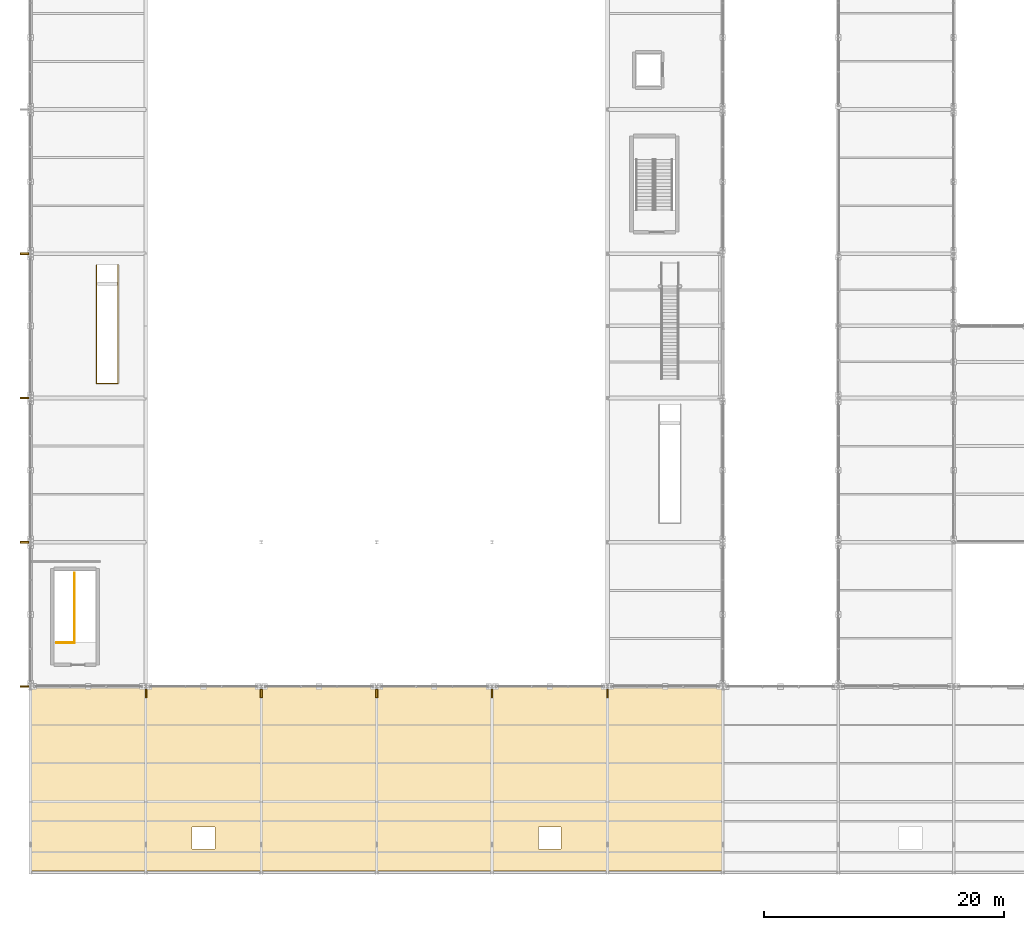
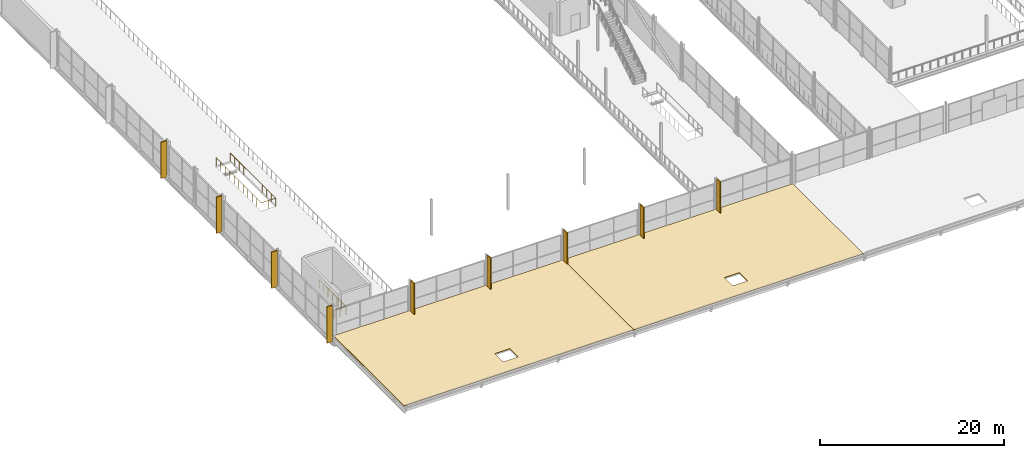
# One storey, part 151 of 159: 11 coverings, 2 railings.
"""IFC4 building model written with IfcOpenShell, lengths in metres."""

from ifc_helpers import new_model, si_unit, direction, frame, origin, origin_2d, place, context, subcontext, project, spatial, polyline, circle, outline, extrude, material, layer, layer_set, type_object, element, save


model = new_model("IFC4")

# Units and contexts
model_context = context("Model", 3, precision=1e-05, world=origin(), true_north=direction((0.0, 1.0)))
body_context = subcontext(model_context, "Body", "Model", "MODEL_VIEW")
ifc_project = project(units=[si_unit("LENGTHUNIT", "METRE"), si_unit("AREAUNIT", "SQUARE_METRE"), si_unit("VOLUMEUNIT", "CUBIC_METRE"), si_unit("PLANEANGLEUNIT", "RADIAN"), si_unit("MASSUNIT", "GRAM", prefix="KILO")], contexts=[model_context])

# Site, building, storey
site_placement = place(None, origin())
site = spatial("IfcSite", under=ifc_project, at=site_placement, CompositionType="ELEMENT")
building_placement = place(site_placement, origin())
building = spatial("IfcBuilding", under=site, at=building_placement, Name="Merenkruunu Market Hall", CompositionType="ELEMENT")
storey_placement = place(building_placement, frame((0.0, 0.0, 5.39990234375)))
storey = spatial("IfcBuildingStorey", under=building, at=storey_placement, Name="L01", CompositionType="ELEMENT", Elevation=5.39990234375)

# Coverings
ifc_material_1 = material(Name="Precast concrete C40/50", Category="concrete")
ifc_layer_1 = layer(ifc_material_1, 0.139892578125)
ifc_layer_set_1 = layer_set([ifc_layer_1], Name="Precast concrete C40/50")
covering_type_1 = type_object("IfcCoveringType", Name="Architectural Precast Sun Fin CLD02", PredefinedType="CLADDING", material=ifc_layer_set_1)
covering_1_placement = place(storey_placement, origin())
element("IfcCovering", 1, at=covering_1_placement, inside=storey, type_object=covering_type_1, Name="FIN-W-L01-002", PredefinedType="CLADDING", context=body_context, shape_type="SweptSolid", body=[
    extrude(outline(polyline([(-0.8701171875, 15.530029296875), (-0.14794921875, 15.530029296875), (-0.14794921875, 15.669921875), (-0.8701171875, 15.669921875), (-0.8701171875, 15.530029296875)])), origin(), (0.0, 0.0, 1.0), 4.800048828125),
])
covering_2_placement = place(storey_placement, origin())
element("IfcCovering", 2, at=covering_2_placement, inside=storey, type_object=covering_type_1, Name="FIN-W-L01-005", PredefinedType="CLADDING", context=body_context, shape_type="SweptSolid", body=[
    extrude(outline(polyline([(-0.8701171875, 27.530029296875), (-0.14794921875, 27.530029296875), (-0.14794921875, 27.669921875), (-0.8701171875, 27.669921875), (-0.8701171875, 27.530029296875)])), origin(), (0.0, 0.0, 1.0), 4.800048828125),
])
covering_3_placement = place(storey_placement, origin())
element("IfcCovering", 3, at=covering_3_placement, inside=storey, type_object=covering_type_1, Name="FIN-W-L01-008", PredefinedType="CLADDING", context=body_context, shape_type="SweptSolid", body=[
    extrude(outline(polyline([(-0.8701171875, 39.530029296875), (-0.14794921875, 39.530029296875), (-0.14794921875, 39.669921875), (-0.8701171875, 39.669921875), (-0.8701171875, 39.530029296875)])), origin(), (0.0, 0.0, 1.0), 4.800048828125),
])
covering_4_placement = place(storey_placement, origin())
element("IfcCovering", 4, at=covering_4_placement, inside=storey, type_object=covering_type_1, Name="FIN-W-L01-011", PredefinedType="CLADDING", context=body_context, shape_type="SweptSolid", body=[
    extrude(outline(polyline([(-0.8701171875, 51.530029296875), (-0.14794921875, 51.530029296875), (-0.14794921875, 51.669921875), (-0.8701171875, 51.669921875), (-0.8701171875, 51.530029296875)])), origin(), (0.0, 0.0, 1.0), 4.800048828125),
])
covering_5_placement = place(storey_placement, frame((0.0, 0.0, 0.68017578125)))
element("IfcCovering", 5, at=covering_5_placement, inside=storey, type_object=covering_type_1, Name="FIN-S-L01-028", PredefinedType="CLADDING", context=body_context, shape_type="SweptSolid", body=[
    extrude(outline(polyline([(9.530029296875, 14.659912109375), (9.669921875, 14.659912109375), (9.669921875, 15.382080078125), (9.530029296875, 15.382080078125), (9.530029296875, 14.659912109375)])), origin(), (0.0, 0.0, 1.0), 4.119873046875),
])
covering_6_placement = place(storey_placement, frame((0.0, 0.0, 0.68017578125)))
element("IfcCovering", 6, at=covering_6_placement, inside=storey, type_object=covering_type_1, Name="FIN-S-L01-033", PredefinedType="CLADDING", context=body_context, shape_type="SweptSolid", body=[
    extrude(outline(polyline([(19.1298828125, 14.659912109375), (19.27001953125, 14.659912109375), (19.27001953125, 15.382080078125), (19.1298828125, 15.382080078125), (19.1298828125, 14.659912109375)])), origin(), (0.0, 0.0, 1.0), 4.119873046875),
])
covering_7_placement = place(storey_placement, frame((0.0, 0.0, 0.68017578125)))
element("IfcCovering", 7, at=covering_7_placement, inside=storey, type_object=covering_type_1, Name="FIN-S-L01-038", PredefinedType="CLADDING", context=body_context, shape_type="SweptSolid", body=[
    extrude(outline(polyline([(28.72998046875, 14.659912109375), (28.8701171875, 14.659912109375), (28.8701171875, 15.382080078125), (28.72998046875, 15.382080078125), (28.72998046875, 14.659912109375)])), origin(), (0.0, 0.0, 1.0), 4.119873046875),
])
covering_8_placement = place(storey_placement, frame((0.0, 0.0, 0.68017578125)))
element("IfcCovering", 8, at=covering_8_placement, inside=storey, type_object=covering_type_1, Name="FIN-S-L01-043", PredefinedType="CLADDING", context=body_context, shape_type="SweptSolid", body=[
    extrude(outline(polyline([(38.330078125, 14.659912109375), (38.469970703125, 14.659912109375), (38.469970703125, 15.382080078125), (38.330078125, 15.382080078125), (38.330078125, 14.659912109375)])), origin(), (0.0, 0.0, 1.0), 4.119873046875),
])
covering_9_placement = place(storey_placement, frame((0.0, 0.0, 0.68017578125)))
element("IfcCovering", 9, at=covering_9_placement, inside=storey, type_object=covering_type_1, Name="FIN-S-L01-048", PredefinedType="CLADDING", context=body_context, shape_type="SweptSolid", body=[
    extrude(outline(polyline([(47.929931640625, 14.659912109375), (48.070068359375, 14.659912109375), (48.070068359375, 15.382080078125), (47.929931640625, 15.382080078125), (47.929931640625, 14.659912109375)])), origin(), (0.0, 0.0, 1.0), 4.119873046875),
])

# Railings
ifc_material_2 = material(Name="Brushed stainless steel", Category="steel")
railing_type = type_object("IfcRailingType", Name="Gallery Balustrade Guard GR01", PredefinedType="BALUSTRADE", material=ifc_material_2)
railing_1_placement = place(storey_placement, frame((2.159912109375, 19.239990234375, 0.0)))
element("IfcRailing", 10, at=railing_1_placement, inside=storey, type_object=railing_type, Name="RAIL-L01-0014", PredefinedType="BALUSTRADE", context=body_context, shape_type="SweptSolid", body=[
    extrude(circle(Radius=0.02392578125, at=origin_2d()), frame((0.0, 0.0, 1.076171875), z_axis=(1.0, 0.0, 0.0), x_axis=(0.0, 1.0, 0.0)), (0.0, 0.0, 1.0), 1.5),
    extrude(circle(Radius=0.02392578125, at=origin_2d()), frame((1.5, 0.0, 1.076171875), z_axis=(0.0, 1.0, 0.0), x_axis=(-1.0, 0.0, 0.0)), (0.0, 0.0, 1.0), 5.800048828125),
    extrude(circle(Radius=0.02099609375, at=origin_2d()), origin(), (0.0, 0.0, 1.0), 1.052001953125),
    extrude(circle(Radius=0.02099609375, at=origin_2d()), frame((0.75, 0.0, 0.0)), (0.0, 0.0, 1.0), 1.052001953125),
    extrude(circle(Radius=0.02099609375, at=origin_2d()), frame((1.5, 0.0, 0.0)), (0.0, 0.0, 1.0), 1.052001953125),
    extrude(circle(Radius=0.02099609375, at=origin_2d()), frame((1.5, 0.966796875, 0.0)), (0.0, 0.0, 1.0), 1.052001953125),
    extrude(circle(Radius=0.02099609375, at=origin_2d()), frame((1.5, 1.933349609375, 0.0)), (0.0, 0.0, 1.0), 1.052001953125),
    extrude(circle(Radius=0.02099609375, at=origin_2d()), frame((1.5, 2.89990234375, 0.0)), (0.0, 0.0, 1.0), 1.052001953125),
    extrude(circle(Radius=0.02099609375, at=origin_2d()), frame((1.5, 3.86669921875, 0.0)), (0.0, 0.0, 1.0), 1.052001953125),
    extrude(circle(Radius=0.02099609375, at=origin_2d()), frame((1.5, 4.83349609375, 0.0)), (0.0, 0.0, 1.0), 1.052001953125),
    extrude(circle(Radius=0.02099609375, at=origin_2d()), frame((1.5, 5.800048828125, 0.0)), (0.0, 0.0, 1.0), 1.052001953125),
])
railing_2_placement = place(storey_placement, frame((5.510009765625, 50.64990234375, 0.0)))
element("IfcRailing", 11, at=railing_2_placement, inside=storey, type_object=railing_type, Name="RAIL-L01-0103", PredefinedType="BALUSTRADE", context=body_context, shape_type="SweptSolid", body=[
    extrude(circle(Radius=0.02392578125, at=origin_2d()), frame((0.0, 0.0, 1.076171875), z_axis=(0.0, -1.0, 0.0), x_axis=(1.0, 0.0, 0.0)), (0.0, 0.0, 1.0), 9.849853515625),
    extrude(circle(Radius=0.02392578125, at=origin_2d()), frame((0.0, -9.849853515625, 1.076171875), z_axis=(1.0, 0.0, 0.0), x_axis=(0.0, 1.0, 0.0)), (0.0, 0.0, 1.0), 1.780029296875),
    extrude(circle(Radius=0.02392578125, at=origin_2d()), frame((1.780029296875, -9.849853515625, 1.076171875), z_axis=(0.0, 1.0, 0.0), x_axis=(-1.0, 0.0, 0.0)), (0.0, 0.0, 1.0), 9.849853515625),
    extrude(circle(Radius=0.02099609375, at=origin_2d()), origin(), (0.0, 0.0, 1.0), 1.052001953125),
    extrude(circle(Radius=0.02099609375, at=origin_2d()), frame((0.0, -0.98486328125, 0.0)), (0.0, 0.0, 1.0), 1.052001953125),
    extrude(circle(Radius=0.02099609375, at=origin_2d()), frame((0.0, -1.969970703125, 0.0)), (0.0, 0.0, 1.0), 1.052001953125),
    extrude(circle(Radius=0.02099609375, at=origin_2d()), frame((0.0, -2.955078125, 0.0)), (0.0, 0.0, 1.0), 1.052001953125),
    extrude(circle(Radius=0.02099609375, at=origin_2d()), frame((0.0, -3.93994140625, 0.0)), (0.0, 0.0, 1.0), 1.052001953125),
    extrude(circle(Radius=0.02099609375, at=origin_2d()), frame((0.0, -4.9248046875, 0.0)), (0.0, 0.0, 1.0), 1.052001953125),
    extrude(circle(Radius=0.02099609375, at=origin_2d()), frame((0.0, -5.909912109375, 0.0)), (0.0, 0.0, 1.0), 1.052001953125),
    extrude(circle(Radius=0.02099609375, at=origin_2d()), frame((0.0, -6.89501953125, 0.0)), (0.0, 0.0, 1.0), 1.052001953125),
    extrude(circle(Radius=0.02099609375, at=origin_2d()), frame((0.0, -7.8798828125, 0.0)), (0.0, 0.0, 1.0), 1.052001953125),
    extrude(circle(Radius=0.02099609375, at=origin_2d()), frame((0.0, -8.86474609375, 0.0)), (0.0, 0.0, 1.0), 1.052001953125),
    extrude(circle(Radius=0.02099609375, at=origin_2d()), frame((0.0, -9.849853515625, 0.0)), (0.0, 0.0, 1.0), 1.052001953125),
    extrude(circle(Radius=0.02099609375, at=origin_2d()), frame((0.89013671875, -9.849853515625, 0.0)), (0.0, 0.0, 1.0), 1.052001953125),
    extrude(circle(Radius=0.02099609375, at=origin_2d()), frame((1.780029296875, -9.849853515625, 0.0)), (0.0, 0.0, 1.0), 1.052001953125),
    extrude(circle(Radius=0.02099609375, at=origin_2d()), frame((1.780029296875, -8.86474609375, 0.0)), (0.0, 0.0, 1.0), 1.052001953125),
    extrude(circle(Radius=0.02099609375, at=origin_2d()), frame((1.780029296875, -7.8798828125, 0.0)), (0.0, 0.0, 1.0), 1.052001953125),
    extrude(circle(Radius=0.02099609375, at=origin_2d()), frame((1.780029296875, -6.89501953125, 0.0)), (0.0, 0.0, 1.0), 1.052001953125),
    extrude(circle(Radius=0.02099609375, at=origin_2d()), frame((1.780029296875, -5.909912109375, 0.0)), (0.0, 0.0, 1.0), 1.052001953125),
    extrude(circle(Radius=0.02099609375, at=origin_2d()), frame((1.780029296875, -4.9248046875, 0.0)), (0.0, 0.0, 1.0), 1.052001953125),
    extrude(circle(Radius=0.02099609375, at=origin_2d()), frame((1.780029296875, -3.93994140625, 0.0)), (0.0, 0.0, 1.0), 1.052001953125),
    extrude(circle(Radius=0.02099609375, at=origin_2d()), frame((1.780029296875, -2.955078125, 0.0)), (0.0, 0.0, 1.0), 1.052001953125),
    extrude(circle(Radius=0.02099609375, at=origin_2d()), frame((1.780029296875, -1.969970703125, 0.0)), (0.0, 0.0, 1.0), 1.052001953125),
    extrude(circle(Radius=0.02099609375, at=origin_2d()), frame((1.780029296875, -0.98486328125, 0.0)), (0.0, 0.0, 1.0), 1.052001953125),
    extrude(circle(Radius=0.02099609375, at=origin_2d()), frame((1.780029296875, 0.0, 0.0)), (0.0, 0.0, 1.0), 1.052001953125),
])

# Coverings
ifc_material_3 = material(Name="High-albedo white steel roof cladding", Category="steel")
ifc_layer_2 = layer(ifc_material_3, 0.080078125)
ifc_layer_set_2 = layer_set([ifc_layer_2], Name="High-albedo white steel roof cladding")
covering_type_2 = type_object("IfcCoveringType", Name="Insulated White Diamond Roof Panel RFG01", PredefinedType="ROOFING", material=ifc_layer_set_2)
covering_10_placement = place(storey_placement, frame((0.0, 0.0, 0.6005859375)))
element("IfcCovering", 12, at=covering_10_placement, inside=storey, type_object=covering_type_2, Name="COV-RFG-V6-01", PredefinedType="ROOFING", context=body_context, shape_type="SweptSolid", body=[
    extrude(outline(polyline([(0.0, 0.25), (28.800048828125, 0.25), (28.800048828125, 15.580078125), (0.0, 15.580078125), (0.0, 0.25)]), holes=[polyline([(13.449951171875, 2.10009765625), (15.35009765625, 2.10009765625), (15.35009765625, 3.89990234375), (13.449951171875, 3.89990234375), (13.449951171875, 2.10009765625)])]), origin(), (0.0, 0.0, 1.0), 0.080078125),
])
covering_11_placement = place(storey_placement, frame((0.0, 0.0, 0.6005859375)))
element("IfcCovering", 13, at=covering_11_placement, inside=storey, type_object=covering_type_2, Name="COV-RFG-V6-02", PredefinedType="ROOFING", context=body_context, shape_type="SweptSolid", body=[
    extrude(outline(polyline([(28.800048828125, 0.25), (57.60009765625, 0.25), (57.60009765625, 15.580078125), (28.800048828125, 15.580078125), (28.800048828125, 0.25)]), holes=[polyline([(42.25, 2.10009765625), (44.14990234375, 2.10009765625), (44.14990234375, 3.89990234375), (42.25, 3.89990234375), (42.25, 2.10009765625)])]), origin(), (0.0, 0.0, 1.0), 0.080078125),
])

save(model, "model.ifc")
